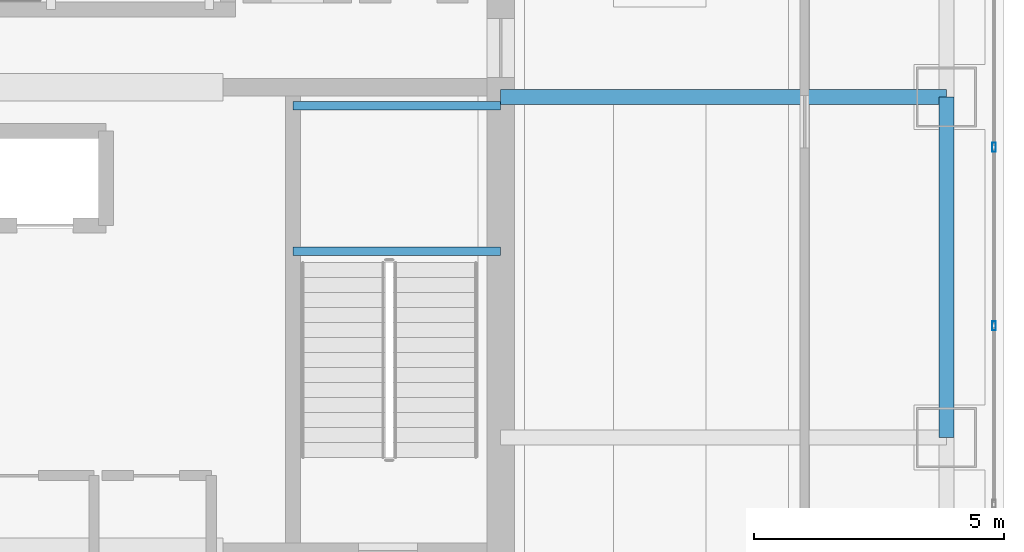
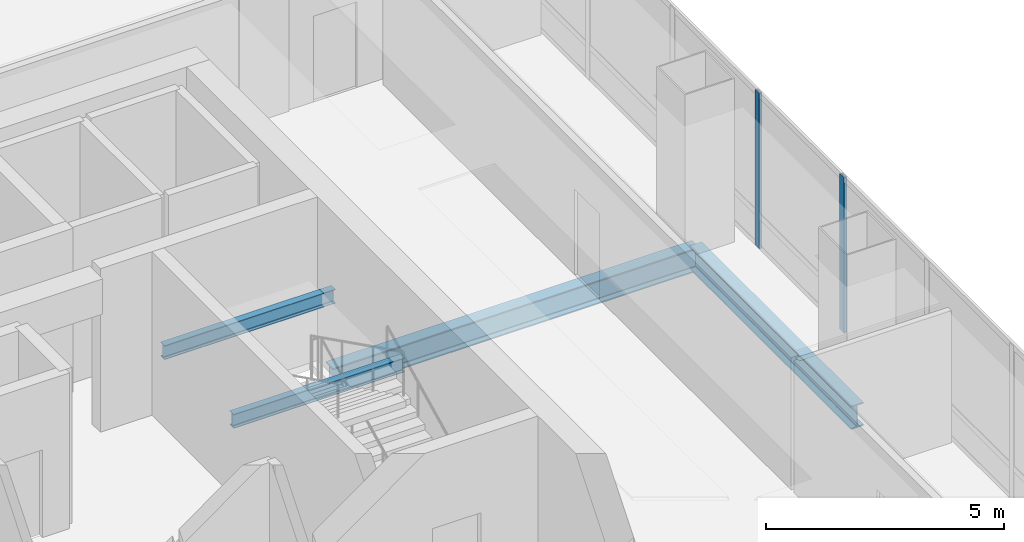
# One storey, part 18 of 41: 4 beams, 2 members, 1 element without a shape of its own.
"""IFC4 building model written with IfcOpenShell, lengths in metres."""

from ifc_helpers import new_model, si_unit, direction, frame, origin, origin_2d, place, context, subcontext, project, spatial, hollow_rectangle, i_section, extrude, material, material_profile, profile_set, type_object, element, aggregate, save


model = new_model("IFC4")

# Units and contexts
model_context = context("Model", 3, precision=1e-05, world=origin(), true_north=direction((0.0, 1.0)))
body_context = subcontext(model_context, "Body", "Model", "MODEL_VIEW")
ifc_project = project(units=[si_unit("LENGTHUNIT", "METRE"), si_unit("AREAUNIT", "SQUARE_METRE"), si_unit("VOLUMEUNIT", "CUBIC_METRE"), si_unit("PLANEANGLEUNIT", "RADIAN"), si_unit("MASSUNIT", "GRAM", prefix="KILO")], contexts=[model_context])

# Site, building, storey
site_placement = place(None, origin())
site = spatial("IfcSite", under=ifc_project, at=site_placement, CompositionType="ELEMENT")
building_placement = place(site_placement, origin())
building = spatial("IfcBuilding", under=site, at=building_placement, Name="Punatoya Terracotta Tower", CompositionType="ELEMENT")
storey_placement = place(building_placement, frame((0.0, 0.0, 309.0)))
storey = spatial("IfcBuildingStorey", under=building, at=storey_placement, Name="L73", CompositionType="ELEMENT", Elevation=309.0)

# Beams
ifc_material_1 = material(Name="Steel S355", Category="steel")
ifc_material_profile_1 = material_profile(ifc_material_1, i_section(OverallWidth=0.300048828125, OverallDepth=0.60009765625, WebThickness=0.015380859375, FlangeThickness=0.030029296875, FilletRadius=0.01806640625, at=origin_2d()))
ifc_profile_set_1 = profile_set([ifc_material_profile_1], Name="Steel S355")
beam_type_1 = type_object("IfcBeamType", Name="BM-PRI-600", PredefinedType="BEAM", material=ifc_profile_set_1)
beam_1_placement = place(storey_placement, frame((19.10009765625, -3.39990234375, -0.5), z_axis=(0.0, 1.0, 0.0), x_axis=(-1.0, 0.0, 0.0)))
element("IfcBeam", 1, at=beam_1_placement, inside=storey, type_object=beam_type_1, Name="BM-L73-RG-E2", PredefinedType="BEAM", context=body_context, shape_type="SweptSolid", body=[
    extrude(i_section(OverallWidth=0.300048828125, OverallDepth=0.60009765625, WebThickness=0.015380859375, FlangeThickness=0.030029296875, FilletRadius=0.01806640625, at=origin_2d()), origin(), (0.0, 0.0, 1.0), 6.7998046875),
])
beam_2_placement = place(storey_placement, frame((10.199951171875, 3.39990234375, -0.5), z_axis=(1.0, 0.0, 0.0), x_axis=(0.0, 1.0, 0.0)))
element("IfcBeam", 2, at=beam_2_placement, inside=storey, type_object=beam_type_1, Name="BM-L73-PR-EE", PredefinedType="BEAM", context=body_context, shape_type="SweptSolid", body=[
    extrude(i_section(OverallWidth=0.300048828125, OverallDepth=0.60009765625, WebThickness=0.015380859375, FlangeThickness=0.030029296875, FilletRadius=0.01806640625, at=origin_2d()), origin(), (0.0, 0.0, 1.0), 8.900146484375),
])
ifc_material_profile_2 = material_profile(ifc_material_1, i_section(OverallWidth=0.169921875, OverallDepth=0.360107421875, WebThickness=0.008056640625, FlangeThickness=0.0126953125, FilletRadius=0.01806640625, at=origin_2d()))
ifc_profile_set_2 = profile_set([ifc_material_profile_2], Name="Steel S355")
beam_type_2 = type_object("IfcBeamType", Name="BM-SEC-360", PredefinedType="JOIST", material=ifc_profile_set_2)
for number, where, z_axis, x_axis, name in (
    (3, (6.050048828125, 0.320068359375, 1.719970703125), (1.0, 0.0, 0.0), (0.0, 1.0, 0.0), "BM-L73-ST-2-LD1A"),
    (4, (6.050048828125, 3.22998046875, 1.719970703125), (1.0, 0.0, 0.0), (0.0, 1.0, 0.0), "BM-L73-ST-2-LD1B"),
):
    element("IfcBeam", number, at=place(storey_placement, frame(where, z_axis=z_axis, x_axis=x_axis)), inside=storey, type_object=beam_type_2, Name=name, PredefinedType="JOIST", context=body_context, shape_type="SweptSolid", body=[
        extrude(i_section(OverallWidth=0.169921875, OverallDepth=0.360107421875, WebThickness=0.008056640625, FlangeThickness=0.0126953125, FilletRadius=0.01806640625, at=origin_2d()), origin(), (0.0, 0.0, 1.0), 4.14990234375),
    ])

# Curtain wall, members
ifc_material_2 = material(Name="Aluminium 6063-T6 + Double Low-E Glass", Category="aluminium")
curtain_wall_type = type_object("IfcCurtainWallType", Name="CW-M3", PredefinedType="NOTDEFINED", material=ifc_material_2)
curtain_wall_placement = place(storey_placement, origin())
curtain_wall = element("IfcCurtainWall", 5, at=curtain_wall_placement, inside=storey, type_object=curtain_wall_type, Name="L73 Curtain Wall CW-L73-E05-1", PredefinedType="NOTDEFINED")
ifc_material_3 = material(Name="Aluminium 6063-T6", Category="aluminium")
ifc_material_profile_3 = material_profile(ifc_material_3, hollow_rectangle(XDim=0.070068359375, YDim=0.179931640625, WallThickness=0.00390625, at=origin_2d()))
ifc_profile_set_3 = profile_set([ifc_material_profile_3], Name="Aluminium 6063-T6")
member_type = type_object("IfcMemberType", Name="CW-MUL-M3", PredefinedType="MULLION", material=ifc_profile_set_3)
member_1_placement = place(storey_placement, frame((20.050048828125, -1.16748046875, 0.0), z_axis=(0.0, 0.0, 1.0), x_axis=(1.0, 0.0, 0.0)))
member_1 = element("IfcMember", 6, at=member_1_placement, type_object=member_type, Name="CW-L73-E05-1 Mullion 04", PredefinedType="MULLION", context=body_context, shape_type="SweptSolid", body=[
    extrude(hollow_rectangle(XDim=0.070068359375, YDim=0.179931640625, WallThickness=0.00390625, at=origin_2d()), origin(), (0.0, 0.0, 1.0), 4.0),
])
member_2_placement = place(storey_placement, frame((20.050048828125, 2.39990234375, 0.0), z_axis=(0.0, 0.0, 1.0), x_axis=(1.0, 0.0, 0.0)))
member_2 = element("IfcMember", 7, at=member_2_placement, type_object=member_type, Name="CW-L73-E05-1 Mullion 05", PredefinedType="MULLION", context=body_context, shape_type="SweptSolid", body=[
    extrude(hollow_rectangle(XDim=0.070068359375, YDim=0.179931640625, WallThickness=0.00390625, at=origin_2d()), origin(), (0.0, 0.0, 1.0), 4.0),
])
aggregate(curtain_wall, [member_1, member_2])

save(model, "model.ifc")
